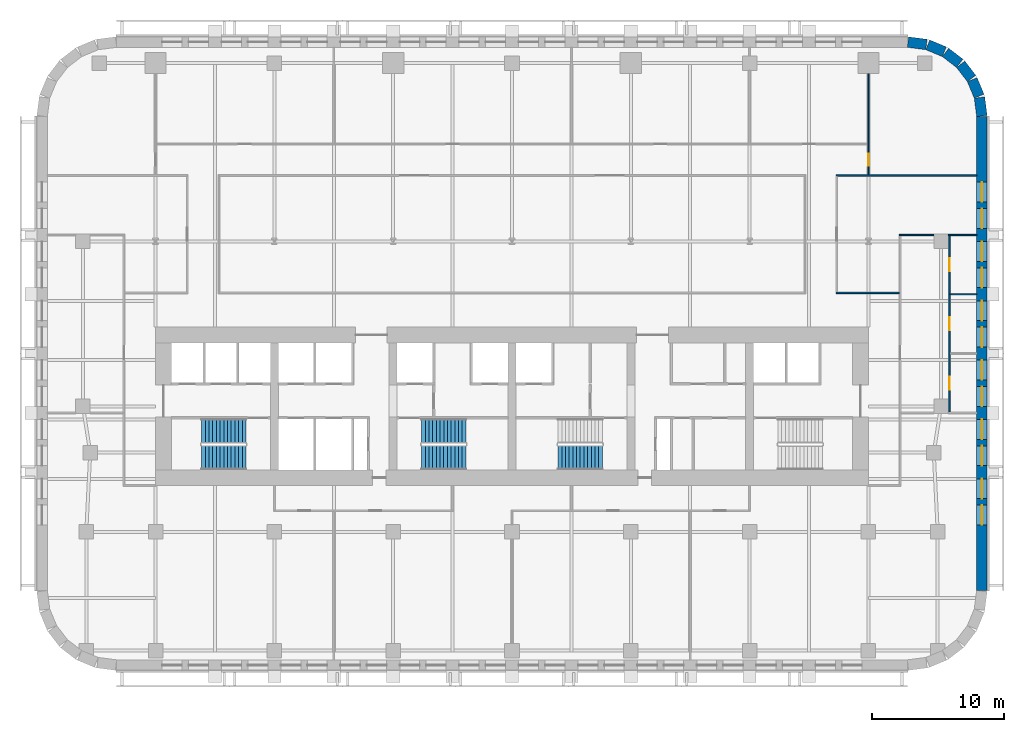
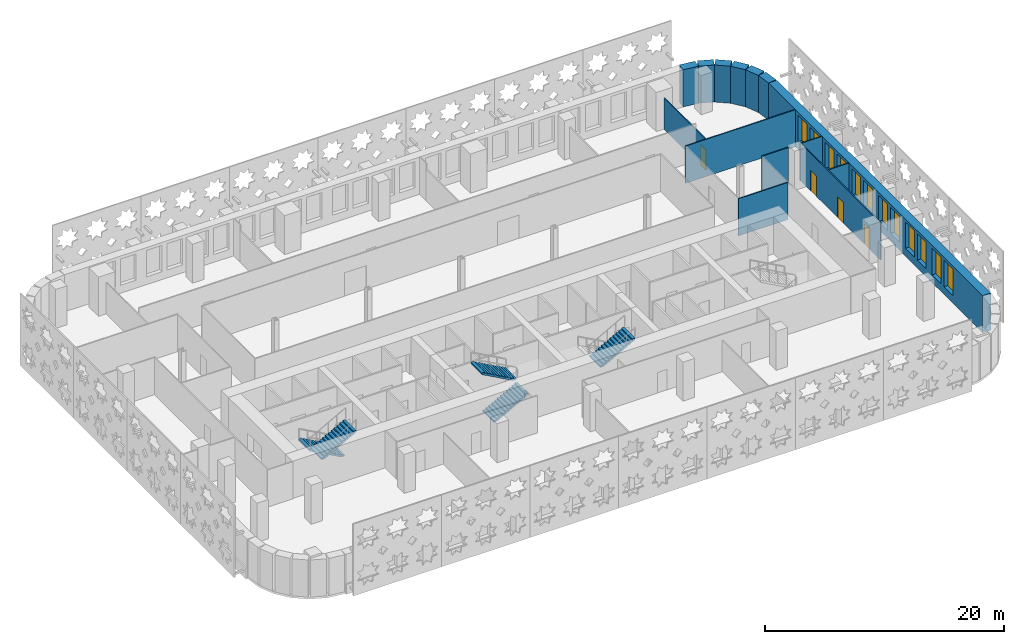
# One storey, part 9 of 15: 14 walls, 12 windows, 5 stair flights, 4 doors, 16 openings, 3 elements without a shape of their own.
"""IFC4 building model written with IfcOpenShell, lengths in metres."""

from ifc_helpers import new_model, si_unit, direction, frame, frame_2d, origin, place, context, subcontext, project, spatial, polyline, rectangle, outline, extrude, material, layer, layer_set, type_object, element, fill, aggregate, save


model = new_model("IFC4")

# Units and contexts
model_context = context("Model", 3, precision=1e-05, world=origin(), true_north=direction((0.0, 1.0)))
body_context = subcontext(model_context, "Body", "Model", "MODEL_VIEW")
ifc_project = project(units=[si_unit("LENGTHUNIT", "METRE"), si_unit("AREAUNIT", "SQUARE_METRE"), si_unit("VOLUMEUNIT", "CUBIC_METRE"), si_unit("PLANEANGLEUNIT", "RADIAN"), si_unit("MASSUNIT", "GRAM", prefix="KILO")], contexts=[model_context])

# Site, building, storey
site_placement = place(None, origin())
site = spatial("IfcSite", under=ifc_project, at=site_placement, CompositionType="ELEMENT")
building_placement = place(site_placement, origin())
building = spatial("IfcBuilding", under=site, at=building_placement, Name="Zellij Exchange Tower", CompositionType="ELEMENT")
storey_placement = place(building_placement, frame((0.0, 0.0, 92.5)))
storey = spatial("IfcBuildingStorey", under=building, at=storey_placement, Name="L19", CompositionType="ELEMENT", Elevation=92.5)

# Wall, openings, windows
ifc_material_1 = material(Name="Precast concrete C40/50", Category="concrete")
ifc_layer_1 = layer(ifc_material_1, 0.800048828125)
ifc_layer_set_1 = layer_set([ifc_layer_1], Name="Precast concrete C40/50")
wall_type_1 = type_object("IfcWallType", Name="ENV-EW1 Precast stone-piered wall 800", PredefinedType="SOLIDWALL", material=ifc_layer_set_1)
wall_1_placement = place(storey_placement, frame((35.60009765625, -21.947509765625, 0.0), z_axis=(0.0, 0.0, 1.0), x_axis=(0.0, 1.0, 0.0)))
wall_1 = element("IfcWall", 1, at=wall_1_placement, inside=storey, type_object=wall_type_1, Name="fac.L19.07", PredefinedType="SOLIDWALL", context=body_context, shape_type="SweptSolid", body=[
    extrude(rectangle(XDim=35.89501953125, YDim=0.800048828125, at=frame_2d((17.947509765625, 0.0))), origin(), (0.0, 0.0, 1.0), 3.800048828125),
])
opening_1_placement = place(wall_1_placement, frame((4.9638671875, 0.0, 0.800048828125)))
opening_1 = element("IfcOpeningElement", 2, at=opening_1_placement, cuts=wall_1, Name="Opening FZ1.25", PredefinedType="OPENING", context=body_context, shape_type="SweptSolid", body=[
    extrude(rectangle(XDim=1.5, YDim=2.699951171875, at=frame_2d((0.75, 1.35009765625))), frame((0.0, 0.412109375, 0.0), z_axis=(0.0, -1.0, 0.0), x_axis=(1.0, 0.0, 0.0)), (0.0, 0.0, 1.0), 0.823974609375),
])
opening_2_placement = place(wall_1_placement, frame((6.9638671875, 0.0, 0.800048828125)))
opening_2 = element("IfcOpeningElement", 3, at=opening_2_placement, cuts=wall_1, Name="Opening FZ1.26", PredefinedType="OPENING", context=body_context, shape_type="SweptSolid", body=[
    extrude(rectangle(XDim=1.5, YDim=2.699951171875, at=frame_2d((0.75, 1.35009765625))), frame((0.0, 0.412109375, 0.0), z_axis=(0.0, -1.0, 0.0), x_axis=(1.0, 0.0, 0.0)), (0.0, 0.0, 1.0), 0.823974609375),
])
opening_3_placement = place(wall_1_placement, frame((9.45751953125, 0.0, 0.800048828125)))
opening_3 = element("IfcOpeningElement", 4, at=opening_3_placement, cuts=wall_1, Name="Opening FZ1.27", PredefinedType="OPENING", context=body_context, shape_type="SweptSolid", body=[
    extrude(rectangle(XDim=1.5, YDim=2.699951171875, at=frame_2d((0.75, 1.35009765625))), frame((0.0, 0.412109375, 0.0), z_axis=(0.0, -1.0, 0.0), x_axis=(1.0, 0.0, 0.0)), (0.0, 0.0, 1.0), 0.823974609375),
])
opening_4_placement = place(wall_1_placement, frame((11.45751953125, 0.0, 0.800048828125)))
opening_4 = element("IfcOpeningElement", 5, at=opening_4_placement, cuts=wall_1, Name="Opening FZ1.28", PredefinedType="OPENING", context=body_context, shape_type="SweptSolid", body=[
    extrude(rectangle(XDim=1.5, YDim=2.699951171875, at=frame_2d((0.75, 1.35009765625))), frame((0.0, 0.412109375, 0.0), z_axis=(0.0, -1.0, 0.0), x_axis=(1.0, 0.0, 0.0)), (0.0, 0.0, 1.0), 0.823974609375),
])
opening_5_placement = place(wall_1_placement, frame((13.950927734375, 0.0, 0.800048828125)))
opening_5 = element("IfcOpeningElement", 6, at=opening_5_placement, cuts=wall_1, Name="Opening FZ1.29", PredefinedType="OPENING", context=body_context, shape_type="SweptSolid", body=[
    extrude(rectangle(XDim=1.5, YDim=2.699951171875, at=frame_2d((0.75, 1.35009765625))), frame((0.0, 0.412109375, 0.0), z_axis=(0.0, -1.0, 0.0), x_axis=(1.0, 0.0, 0.0)), (0.0, 0.0, 1.0), 0.823974609375),
])
opening_6_placement = place(wall_1_placement, frame((15.95068359375, 0.0, 0.800048828125)))
opening_6 = element("IfcOpeningElement", 7, at=opening_6_placement, cuts=wall_1, Name="Opening FZ1.30", PredefinedType="OPENING", context=body_context, shape_type="SweptSolid", body=[
    extrude(rectangle(XDim=1.5, YDim=2.699951171875, at=frame_2d((0.75, 1.35009765625))), frame((0.0, 0.412109375, 0.0), z_axis=(0.0, -1.0, 0.0), x_axis=(1.0, 0.0, 0.0)), (0.0, 0.0, 1.0), 0.823974609375),
])
opening_7_placement = place(wall_1_placement, frame((18.4443359375, 0.0, 0.800048828125)))
opening_7 = element("IfcOpeningElement", 8, at=opening_7_placement, cuts=wall_1, Name="Opening FZ1.31", PredefinedType="OPENING", context=body_context, shape_type="SweptSolid", body=[
    extrude(rectangle(XDim=1.5, YDim=2.699951171875, at=frame_2d((0.75, 1.35009765625))), frame((0.0, 0.412109375, 0.0), z_axis=(0.0, -1.0, 0.0), x_axis=(1.0, 0.0, 0.0)), (0.0, 0.0, 1.0), 0.823974609375),
])
opening_8_placement = place(wall_1_placement, frame((20.4443359375, 0.0, 0.800048828125)))
opening_8 = element("IfcOpeningElement", 9, at=opening_8_placement, cuts=wall_1, Name="Opening FZ1.32", PredefinedType="OPENING", context=body_context, shape_type="SweptSolid", body=[
    extrude(rectangle(XDim=1.5, YDim=2.699951171875, at=frame_2d((0.75, 1.35009765625))), frame((0.0, 0.412109375, 0.0), z_axis=(0.0, -1.0, 0.0), x_axis=(1.0, 0.0, 0.0)), (0.0, 0.0, 1.0), 0.823974609375),
])
opening_9_placement = place(wall_1_placement, frame((22.937744140625, 0.0, 0.800048828125)))
opening_9 = element("IfcOpeningElement", 10, at=opening_9_placement, cuts=wall_1, Name="Opening FZ1.33", PredefinedType="OPENING", context=body_context, shape_type="SweptSolid", body=[
    extrude(rectangle(XDim=1.5, YDim=2.699951171875, at=frame_2d((0.75, 1.35009765625))), frame((0.0, 0.412109375, 0.0), z_axis=(0.0, -1.0, 0.0), x_axis=(1.0, 0.0, 0.0)), (0.0, 0.0, 1.0), 0.823974609375),
])
opening_10_placement = place(wall_1_placement, frame((24.937744140625, 0.0, 0.800048828125)))
opening_10 = element("IfcOpeningElement", 11, at=opening_10_placement, cuts=wall_1, Name="Opening FZ1.34", PredefinedType="OPENING", context=body_context, shape_type="SweptSolid", body=[
    extrude(rectangle(XDim=1.5, YDim=2.699951171875, at=frame_2d((0.75, 1.35009765625))), frame((0.0, 0.412109375, 0.0), z_axis=(0.0, -1.0, 0.0), x_axis=(1.0, 0.0, 0.0)), (0.0, 0.0, 1.0), 0.823974609375),
])
opening_11_placement = place(wall_1_placement, frame((27.43115234375, 0.0, 0.800048828125)))
opening_11 = element("IfcOpeningElement", 12, at=opening_11_placement, cuts=wall_1, Name="Opening FZ1.35", PredefinedType="OPENING", context=body_context, shape_type="SweptSolid", body=[
    extrude(rectangle(XDim=1.5, YDim=2.699951171875, at=frame_2d((0.75, 1.35009765625))), frame((0.0, 0.412109375, 0.0), z_axis=(0.0, -1.0, 0.0), x_axis=(1.0, 0.0, 0.0)), (0.0, 0.0, 1.0), 0.823974609375),
])
opening_12_placement = place(wall_1_placement, frame((29.43115234375, 0.0, 0.800048828125)))
opening_12 = element("IfcOpeningElement", 13, at=opening_12_placement, cuts=wall_1, Name="Opening FZ1.36", PredefinedType="OPENING", context=body_context, shape_type="SweptSolid", body=[
    extrude(rectangle(XDim=1.5, YDim=2.699951171875, at=frame_2d((0.75, 1.35009765625))), frame((0.0, 0.412109375, 0.0), z_axis=(0.0, -1.0, 0.0), x_axis=(1.0, 0.0, 0.0)), (0.0, 0.0, 1.0), 0.823974609375),
])
ifc_material_2 = material(Name="Aluminium frame with insulating glass", Category="aluminium")
window_type = type_object("IfcWindowType", Name="ENV-W6 Window 1500x2700", PartitioningType="SINGLE_PANEL", PredefinedType="WINDOW", material=ifc_material_2)
window_1_placement = place(opening_1_placement, origin())
window_1 = element("IfcWindow", 14, at=window_1_placement, inside=storey, type_object=window_type, Name="Window FZ1.25", OverallHeight=2.699951171875, OverallWidth=1.5, PartitioningType="SINGLE_PANEL", PredefinedType="WINDOW", context=body_context, shape_type="SweptSolid", body=[
    extrude(rectangle(XDim=1.5, YDim=2.699951171875, at=frame_2d((0.75, 1.35009765625))), frame((0.0, 0.030029296875, 0.0), z_axis=(0.0, -1.0, 0.0), x_axis=(1.0, 0.0, 0.0)), (0.0, 0.0, 1.0), 0.06005859375),
])
fill(opening_1, window_1)
window_2_placement = place(opening_2_placement, origin())
window_2 = element("IfcWindow", 15, at=window_2_placement, inside=storey, type_object=window_type, Name="Window FZ1.26", OverallHeight=2.699951171875, OverallWidth=1.5, PartitioningType="SINGLE_PANEL", PredefinedType="WINDOW", context=body_context, shape_type="SweptSolid", body=[
    extrude(rectangle(XDim=1.5, YDim=2.699951171875, at=frame_2d((0.75, 1.35009765625))), frame((0.0, 0.030029296875, 0.0), z_axis=(0.0, -1.0, 0.0), x_axis=(1.0, 0.0, 0.0)), (0.0, 0.0, 1.0), 0.06005859375),
])
fill(opening_2, window_2)
window_3_placement = place(opening_3_placement, origin())
window_3 = element("IfcWindow", 16, at=window_3_placement, inside=storey, type_object=window_type, Name="Window FZ1.27", OverallHeight=2.699951171875, OverallWidth=1.5, PartitioningType="SINGLE_PANEL", PredefinedType="WINDOW", context=body_context, shape_type="SweptSolid", body=[
    extrude(rectangle(XDim=1.5, YDim=2.699951171875, at=frame_2d((0.75, 1.35009765625))), frame((0.0, 0.030029296875, 0.0), z_axis=(0.0, -1.0, 0.0), x_axis=(1.0, 0.0, 0.0)), (0.0, 0.0, 1.0), 0.06005859375),
])
fill(opening_3, window_3)
window_4_placement = place(opening_4_placement, origin())
window_4 = element("IfcWindow", 17, at=window_4_placement, inside=storey, type_object=window_type, Name="Window FZ1.28", OverallHeight=2.699951171875, OverallWidth=1.5, PartitioningType="SINGLE_PANEL", PredefinedType="WINDOW", context=body_context, shape_type="SweptSolid", body=[
    extrude(rectangle(XDim=1.5, YDim=2.699951171875, at=frame_2d((0.75, 1.35009765625))), frame((0.0, 0.030029296875, 0.0), z_axis=(0.0, -1.0, 0.0), x_axis=(1.0, 0.0, 0.0)), (0.0, 0.0, 1.0), 0.06005859375),
])
fill(opening_4, window_4)
window_5_placement = place(opening_5_placement, origin())
window_5 = element("IfcWindow", 18, at=window_5_placement, inside=storey, type_object=window_type, Name="Window FZ1.29", OverallHeight=2.699951171875, OverallWidth=1.5, PartitioningType="SINGLE_PANEL", PredefinedType="WINDOW", context=body_context, shape_type="SweptSolid", body=[
    extrude(rectangle(XDim=1.5, YDim=2.699951171875, at=frame_2d((0.75, 1.35009765625))), frame((0.0, 0.030029296875, 0.0), z_axis=(0.0, -1.0, 0.0), x_axis=(1.0, 0.0, 0.0)), (0.0, 0.0, 1.0), 0.06005859375),
])
fill(opening_5, window_5)
window_6_placement = place(opening_6_placement, origin())
window_6 = element("IfcWindow", 19, at=window_6_placement, inside=storey, type_object=window_type, Name="Window FZ1.30", OverallHeight=2.699951171875, OverallWidth=1.5, PartitioningType="SINGLE_PANEL", PredefinedType="WINDOW", context=body_context, shape_type="SweptSolid", body=[
    extrude(rectangle(XDim=1.5, YDim=2.699951171875, at=frame_2d((0.75, 1.35009765625))), frame((0.0, 0.030029296875, 0.0), z_axis=(0.0, -1.0, 0.0), x_axis=(1.0, 0.0, 0.0)), (0.0, 0.0, 1.0), 0.06005859375),
])
fill(opening_6, window_6)
window_7_placement = place(opening_7_placement, origin())
window_7 = element("IfcWindow", 20, at=window_7_placement, inside=storey, type_object=window_type, Name="Window FZ1.31", OverallHeight=2.699951171875, OverallWidth=1.5, PartitioningType="SINGLE_PANEL", PredefinedType="WINDOW", context=body_context, shape_type="SweptSolid", body=[
    extrude(rectangle(XDim=1.5, YDim=2.699951171875, at=frame_2d((0.75, 1.35009765625))), frame((0.0, 0.030029296875, 0.0), z_axis=(0.0, -1.0, 0.0), x_axis=(1.0, 0.0, 0.0)), (0.0, 0.0, 1.0), 0.06005859375),
])
fill(opening_7, window_7)
window_8_placement = place(opening_8_placement, origin())
window_8 = element("IfcWindow", 21, at=window_8_placement, inside=storey, type_object=window_type, Name="Window FZ1.32", OverallHeight=2.699951171875, OverallWidth=1.5, PartitioningType="SINGLE_PANEL", PredefinedType="WINDOW", context=body_context, shape_type="SweptSolid", body=[
    extrude(rectangle(XDim=1.5, YDim=2.699951171875, at=frame_2d((0.75, 1.35009765625))), frame((0.0, 0.030029296875, 0.0), z_axis=(0.0, -1.0, 0.0), x_axis=(1.0, 0.0, 0.0)), (0.0, 0.0, 1.0), 0.06005859375),
])
fill(opening_8, window_8)
window_9_placement = place(opening_9_placement, origin())
window_9 = element("IfcWindow", 22, at=window_9_placement, inside=storey, type_object=window_type, Name="Window FZ1.33", OverallHeight=2.699951171875, OverallWidth=1.5, PartitioningType="SINGLE_PANEL", PredefinedType="WINDOW", context=body_context, shape_type="SweptSolid", body=[
    extrude(rectangle(XDim=1.5, YDim=2.699951171875, at=frame_2d((0.75, 1.35009765625))), frame((0.0, 0.030029296875, 0.0), z_axis=(0.0, -1.0, 0.0), x_axis=(1.0, 0.0, 0.0)), (0.0, 0.0, 1.0), 0.06005859375),
])
fill(opening_9, window_9)
window_10_placement = place(opening_10_placement, origin())
window_10 = element("IfcWindow", 23, at=window_10_placement, inside=storey, type_object=window_type, Name="Window FZ1.34", OverallHeight=2.699951171875, OverallWidth=1.5, PartitioningType="SINGLE_PANEL", PredefinedType="WINDOW", context=body_context, shape_type="SweptSolid", body=[
    extrude(rectangle(XDim=1.5, YDim=2.699951171875, at=frame_2d((0.75, 1.35009765625))), frame((0.0, 0.030029296875, 0.0), z_axis=(0.0, -1.0, 0.0), x_axis=(1.0, 0.0, 0.0)), (0.0, 0.0, 1.0), 0.06005859375),
])
fill(opening_10, window_10)
window_11_placement = place(opening_11_placement, origin())
window_11 = element("IfcWindow", 24, at=window_11_placement, inside=storey, type_object=window_type, Name="Window FZ1.35", OverallHeight=2.699951171875, OverallWidth=1.5, PartitioningType="SINGLE_PANEL", PredefinedType="WINDOW", context=body_context, shape_type="SweptSolid", body=[
    extrude(rectangle(XDim=1.5, YDim=2.699951171875, at=frame_2d((0.75, 1.35009765625))), frame((0.0, 0.030029296875, 0.0), z_axis=(0.0, -1.0, 0.0), x_axis=(1.0, 0.0, 0.0)), (0.0, 0.0, 1.0), 0.06005859375),
])
fill(opening_11, window_11)
window_12_placement = place(opening_12_placement, origin())
window_12 = element("IfcWindow", 25, at=window_12_placement, inside=storey, type_object=window_type, Name="Window FZ1.36", OverallHeight=2.699951171875, OverallWidth=1.5, PartitioningType="SINGLE_PANEL", PredefinedType="WINDOW", context=body_context, shape_type="SweptSolid", body=[
    extrude(rectangle(XDim=1.5, YDim=2.699951171875, at=frame_2d((0.75, 1.35009765625))), frame((0.0, 0.030029296875, 0.0), z_axis=(0.0, -1.0, 0.0), x_axis=(1.0, 0.0, 0.0)), (0.0, 0.0, 1.0), 0.06005859375),
])
fill(opening_12, window_12)

# Walls
wall_2_placement = place(storey_placement, frame((35.5966796875, 13.999755859375, 0.0), z_axis=(0.0, 0.0, 1.0), x_axis=(-0.130517283865, 0.99144603414, 0.0)))
element("IfcWall", 26, at=wall_2_placement, inside=storey, type_object=wall_type_1, Name="fac.L19.08", PredefinedType="SOLIDWALL", context=body_context, shape_type="SweptSolid", body=[
    extrude(rectangle(XDim=1.408447265625, YDim=0.800048828125, at=frame_2d((0.7041015625, 0.0))), origin(), (0.0, 0.0, 1.0), 3.800048828125),
])
wall_3_placement = place(storey_placement, frame((35.3857421875, 15.497314453125, 0.0), z_axis=(0.0, 0.0, 1.0), x_axis=(-0.38276009378, 0.923847774587, 0.0)))
element("IfcWall", 27, at=wall_3_placement, inside=storey, type_object=wall_type_1, Name="fac.L19.09", PredefinedType="SOLIDWALL", context=body_context, shape_type="SweptSolid", body=[
    extrude(rectangle(XDim=1.35546875, YDim=0.800048828125, at=frame_2d((0.677734375, 0.0))), origin(), (0.0, 0.0, 1.0), 3.800048828125),
])
for number, where, z_axis, x_axis, name in (
    (28, (34.814697265625, 16.840087890625, 0.0), (0.0, 0.0, 1.0), (-0.608866226366, 0.793272915452, 0.0), "fac.L19.10"),
    (29, (33.91552734375, 17.9892578125, 0.0), (0.0, 0.0, 1.0), (-0.793272915452, 0.608866226366, 0.0), "fac.L19.11"),
):
    element("IfcWall", number, at=place(storey_placement, frame(where, z_axis=z_axis, x_axis=x_axis)), inside=storey, type_object=wall_type_1, Name=name, PredefinedType="SOLIDWALL", context=body_context, shape_type="SweptSolid", body=[
        extrude(rectangle(XDim=1.355712890625, YDim=0.800048828125, at=frame_2d((0.677734375, 0.0))), origin(), (0.0, 0.0, 1.0), 3.800048828125),
    ])
wall_4_placement = place(storey_placement, frame((32.74951171875, 18.866943359375, 0.0), z_axis=(0.0, 0.0, 1.0), x_axis=(-0.923847774587, 0.38276009378, 0.0)))
element("IfcWall", 30, at=wall_4_placement, inside=storey, type_object=wall_type_1, Name="fac.L19.12", PredefinedType="SOLIDWALL", context=body_context, shape_type="SweptSolid", body=[
    extrude(rectangle(XDim=1.35546875, YDim=0.800048828125, at=frame_2d((0.677734375, 0.0))), origin(), (0.0, 0.0, 1.0), 3.800048828125),
])
wall_5_placement = place(storey_placement, frame((31.396240234375, 19.412841796875, 0.0), z_axis=(0.0, 0.0, 1.0), x_axis=(-0.99144603414, 0.130517283865, 0.0)))
element("IfcWall", 31, at=wall_5_placement, inside=storey, type_object=wall_type_1, Name="fac.L19.13", PredefinedType="SOLIDWALL", context=body_context, shape_type="SweptSolid", body=[
    extrude(rectangle(XDim=1.408447265625, YDim=0.800048828125, at=frame_2d((0.7041015625, 0.0))), origin(), (0.0, 0.0, 1.0), 3.800048828125),
])

# Wall, openings, doors
ifc_material_3 = material(Name="Gypsum board partition on steel studs", Category="steel")
ifc_layer_2 = layer(ifc_material_3, 0.10009765625)
ifc_layer_set_2 = layer_set([ifc_layer_2], Name="Gypsum board partition on steel studs")
wall_type_2 = type_object("IfcWallType", Name="FIT-PARTITION-100", PredefinedType="PARTITIONING", material=ifc_layer_set_2)
wall_6_placement = place(storey_placement, frame((33.14990234375, -8.43994140625, 0.0), z_axis=(0.0, 0.0, 1.0), x_axis=(0.0, 1.0, 0.0)))
wall_6 = element("IfcWall", 32, at=wall_6_placement, inside=storey, type_object=wall_type_2, Name="FIT-PARTITION-100 021", PredefinedType="PARTITIONING", context=body_context, shape_type="SweptSolid", body=[
    extrude(rectangle(XDim=13.3798828125, YDim=0.10009765625, at=frame_2d((6.68994140625, 0.0))), origin(), (0.0, 0.0, 1.0), 3.800048828125),
])
opening_13_placement = place(wall_6_placement, frame((1.699951171875, 0.0, 0.0)))
opening_13 = element("IfcOpeningElement", 33, at=opening_13_placement, cuts=wall_6, Name="Opening TD.05", PredefinedType="OPENING", context=body_context, shape_type="SweptSolid", body=[
    extrude(rectangle(XDim=1.0, YDim=2.10009765625, at=frame_2d((0.5, 1.050048828125))), frame((0.0, 0.06201171875, 0.0), z_axis=(0.0, -1.0, 0.0), x_axis=(1.0, 0.0, 0.0)), (0.0, 0.0, 1.0), 0.1240234375),
])
opening_14_placement = place(wall_6_placement, frame((6.18994140625, 0.0, 0.0)))
opening_14 = element("IfcOpeningElement", 34, at=opening_14_placement, cuts=wall_6, Name="Opening TD.08", PredefinedType="OPENING", context=body_context, shape_type="SweptSolid", body=[
    extrude(rectangle(XDim=1.0, YDim=2.10009765625, at=frame_2d((0.5, 1.050048828125))), frame((0.0, 0.06201171875, 0.0), z_axis=(0.0, -1.0, 0.0), x_axis=(1.0, 0.0, 0.0)), (0.0, 0.0, 1.0), 0.1240234375),
])
opening_15_placement = place(wall_6_placement, frame((10.679931640625, 0.0, 0.0)))
opening_15 = element("IfcOpeningElement", 35, at=opening_15_placement, cuts=wall_6, Name="Opening TD.09", PredefinedType="OPENING", context=body_context, shape_type="SweptSolid", body=[
    extrude(rectangle(XDim=1.0, YDim=2.10009765625, at=frame_2d((0.5, 1.050048828125))), frame((0.0, 0.06201171875, 0.0), z_axis=(0.0, -1.0, 0.0), x_axis=(1.0, 0.0, 0.0)), (0.0, 0.0, 1.0), 0.1240234375),
])
ifc_material_4 = material(Name="Timber door set", Category="wood")
door_type_1 = type_object("IfcDoorType", Name="FIT-D2-WIDE-1000X2100", OperationType="SINGLE_SWING_LEFT", PredefinedType="DOOR", material=ifc_material_4)
door_1_placement = place(opening_13_placement, origin())
door_1 = element("IfcDoor", 36, at=door_1_placement, inside=storey, type_object=door_type_1, Name="Door TD.05", OperationType="SINGLE_SWING_RIGHT", OverallHeight=2.10009765625, OverallWidth=1.0, PredefinedType="DOOR", context=body_context, shape_type="SweptSolid", body=[
    extrude(rectangle(XDim=1.0, YDim=2.10009765625, at=frame_2d((0.5, 1.050048828125))), frame((0.0, 0.02490234375, 0.0), z_axis=(0.0, -1.0, 0.0), x_axis=(1.0, 0.0, 0.0)), (0.0, 0.0, 1.0), 0.050048828125),
])
fill(opening_13, door_1)
door_2_placement = place(opening_14_placement, origin())
door_2 = element("IfcDoor", 37, at=door_2_placement, inside=storey, type_object=door_type_1, Name="Door TD.08", OperationType="SINGLE_SWING_RIGHT", OverallHeight=2.10009765625, OverallWidth=1.0, PredefinedType="DOOR", context=body_context, shape_type="SweptSolid", body=[
    extrude(rectangle(XDim=1.0, YDim=2.10009765625, at=frame_2d((0.5, 1.050048828125))), frame((0.0, 0.02490234375, 0.0), z_axis=(0.0, -1.0, 0.0), x_axis=(1.0, 0.0, 0.0)), (0.0, 0.0, 1.0), 0.050048828125),
])
fill(opening_14, door_2)
door_3_placement = place(opening_15_placement, origin())
door_3 = element("IfcDoor", 38, at=door_3_placement, inside=storey, type_object=door_type_1, Name="Door TD.09", OperationType="SINGLE_SWING_LEFT", OverallHeight=2.10009765625, OverallWidth=1.0, PredefinedType="DOOR", context=body_context, shape_type="SweptSolid", body=[
    extrude(rectangle(XDim=1.0, YDim=2.10009765625, at=frame_2d((0.5, 1.050048828125))), frame((0.0, 0.02490234375, 0.0), z_axis=(0.0, -1.0, 0.0), x_axis=(1.0, 0.0, 0.0)), (0.0, 0.0, 1.0), 0.050048828125),
])
fill(opening_15, door_3)

# Walls
wall_7_placement = place(storey_placement, frame((33.199951171875, 0.489990234375, 0.0), z_axis=(0.0, 0.0, 1.0), x_axis=(1.0, 0.0, 0.0)))
element("IfcWall", 39, at=wall_7_placement, inside=storey, type_object=wall_type_2, Name="FIT-PARTITION-100 023", PredefinedType="PARTITIONING", context=body_context, shape_type="SweptSolid", body=[
    extrude(rectangle(XDim=2.0, YDim=0.10009765625, at=frame_2d((1.0, 0.0))), origin(), (0.0, 0.0, 1.0), 3.800048828125),
])
wall_8_placement = place(storey_placement, frame((24.550048828125, 0.60009765625, 0.0), z_axis=(0.0, 0.0, 1.0), x_axis=(1.0, 0.0, 0.0)))
element("IfcWall", 40, at=wall_8_placement, inside=storey, type_object=wall_type_2, Name="FIT-PARTITION-100 029", PredefinedType="PARTITIONING", context=body_context, shape_type="SweptSolid", body=[
    extrude(rectangle(XDim=4.800048828125, YDim=0.10009765625, at=frame_2d((2.39990234375, 0.0))), origin(), (0.0, 0.0, 1.0), 3.800048828125),
])
wall_9_placement = place(storey_placement, frame((29.35009765625, 4.989990234375, 0.0), z_axis=(0.0, 0.0, 1.0), x_axis=(1.0, 0.0, 0.0)))
element("IfcWall", 41, at=wall_9_placement, inside=storey, type_object=wall_type_2, Name="FIT-PARTITION-100 033", PredefinedType="PARTITIONING", context=body_context, shape_type="SweptSolid", body=[
    extrude(rectangle(XDim=2.599853515625, YDim=0.10009765625, at=frame_2d((1.2998046875, 0.0))), origin(), (0.0, 0.0, 1.0), 3.800048828125),
])
wall_10_placement = place(storey_placement, frame((33.050048828125, 4.989990234375, 0.0), z_axis=(0.0, 0.0, 1.0), x_axis=(1.0, 0.0, 0.0)))
element("IfcWall", 42, at=wall_10_placement, inside=storey, type_object=wall_type_2, Name="FIT-PARTITION-100 034", PredefinedType="PARTITIONING", context=body_context, shape_type="SweptSolid", body=[
    extrude(rectangle(XDim=2.14990234375, YDim=0.10009765625, at=frame_2d((1.074951171875, 0.0))), origin(), (0.0, 0.0, 1.0), 3.800048828125),
])
wall_11_placement = place(storey_placement, frame((24.550048828125, 9.47998046875, 0.0), z_axis=(0.0, 0.0, 1.0), x_axis=(1.0, 0.0, 0.0)))
element("IfcWall", 43, at=wall_11_placement, inside=storey, type_object=wall_type_2, Name="FIT-PARTITION-100 038", PredefinedType="PARTITIONING", context=body_context, shape_type="SweptSolid", body=[
    extrude(rectangle(XDim=10.64990234375, YDim=0.10009765625, at=frame_2d((5.324951171875, 0.0))), origin(), (0.0, 0.0, 1.0), 3.800048828125),
])

# Wall, opening, door
wall_12_placement = place(storey_placement, frame((27.0, 9.530029296875, 0.0), z_axis=(0.0, 0.0, 1.0), x_axis=(0.0, 1.0, 0.0)))
wall_12 = element("IfcWall", 44, at=wall_12_placement, inside=storey, type_object=wall_type_2, Name="FIT-PARTITION-100 039", PredefinedType="PARTITIONING", context=body_context, shape_type="SweptSolid", body=[
    extrude(rectangle(XDim=7.669921875, YDim=0.10009765625, at=frame_2d((3.8349609375, 0.0))), origin(), (0.0, 0.0, 1.0), 3.18798828125),
])
opening_16_placement = place(wall_12_placement, frame((0.699951171875, 0.0, 0.0)))
opening_16 = element("IfcOpeningElement", 45, at=opening_16_placement, cuts=wall_12, Name="Opening TD.15", PredefinedType="OPENING", context=body_context, shape_type="SweptSolid", body=[
    extrude(rectangle(XDim=0.89990234375, YDim=2.10009765625, at=frame_2d((0.449951171875, 1.050048828125))), frame((0.0, 0.06201171875, 0.0), z_axis=(0.0, -1.0, 0.0), x_axis=(1.0, 0.0, 0.0)), (0.0, 0.0, 1.0), 0.1240234375),
])
door_type_2 = type_object("IfcDoorType", Name="FIT-D1-ROOM-900X2100", OperationType="SINGLE_SWING_LEFT", PredefinedType="DOOR", material=ifc_material_4)
door_4_placement = place(opening_16_placement, origin())
door_4 = element("IfcDoor", 46, at=door_4_placement, inside=storey, type_object=door_type_2, Name="Door TD.15", OperationType="SINGLE_SWING_LEFT", OverallHeight=2.10009765625, OverallWidth=0.89990234375, PredefinedType="DOOR", context=body_context, shape_type="SweptSolid", body=[
    extrude(rectangle(XDim=0.89990234375, YDim=2.10009765625, at=frame_2d((0.449951171875, 1.050048828125))), frame((0.0, 0.02490234375, 0.0), z_axis=(0.0, -1.0, 0.0), x_axis=(1.0, 0.0, 0.0)), (0.0, 0.0, 1.0), 0.050048828125),
])
fill(opening_16, door_4)

# Stair, stair flights
ifc_material_5 = material(Name="Concrete C40/50", Category="concrete")
stair_type = type_object("IfcStairType", Name="CORE-ST exit stair 1850 wide", PredefinedType="HALF_TURN_STAIR", material=ifc_material_5)
stair_1_placement = place(storey_placement, origin())
stair_1 = element("IfcStair", 47, at=stair_1_placement, inside=storey, type_object=stair_type, Name="L19 exit stair ST1", PredefinedType="HALF_TURN_STAIR")
stair_flight_type = type_object("IfcStairFlightType", Name="CORE-SF flight 1850 riser 153.8 going 280", PredefinedType="STRAIGHT", material=ifc_material_5)
stair_flight_1_placement = place(storey_placement, frame((-20.14990234375, -9.875, 0.0), z_axis=(0.0, 0.0, 1.0), x_axis=(-1.0, 0.0, 0.0)))
stair_flight_1 = element("IfcStairFlight", 48, at=stair_flight_1_placement, type_object=stair_flight_type, Name="ST1 flight 1", NumberOfRisers=13, NumberOfTreads=12, PredefinedType="STRAIGHT", RiserHeight=0.153846154, TreadLength=0.28, context=body_context, shape_type="SweptSolid", body=[
    extrude(outline(polyline([(0.0, 0.0), (0.0, 0.15380859375), (0.280029296875, 0.15380859375), (0.280029296875, 0.3076171875), (0.56005859375, 0.3076171875), (0.56005859375, 0.46142578125), (0.840087890625, 0.46142578125), (0.840087890625, 0.615478515625), (1.1201171875, 0.615478515625), (1.1201171875, 0.769287109375), (1.39990234375, 0.769287109375), (1.39990234375, 0.923095703125), (1.679931640625, 0.923095703125), (1.679931640625, 1.076904296875), (1.9599609375, 1.076904296875), (1.9599609375, 1.230712890625), (2.239990234375, 1.230712890625), (2.239990234375, 1.384521484375), (2.52001953125, 1.384521484375), (2.52001953125, 1.53857421875), (2.800048828125, 1.53857421875), (2.800048828125, 1.6923828125), (3.080078125, 1.6923828125), (3.080078125, 1.84619140625), (3.360107421875, 1.84619140625), (3.360107421875, 2.0), (3.360107421875, 1.675048828125), (0.311279296875, 0.0), (0.0, 0.0)])), frame((0.0, 0.925048828125, 0.0), z_axis=(0.0, -1.0, 0.0), x_axis=(1.0, 0.0, 0.0)), (0.0, 0.0, 1.0), 1.85009765625),
])
stair_flight_2_placement = place(storey_placement, frame((-23.510009765625, -11.875, 2.0), z_axis=(0.0, 0.0, 1.0), x_axis=(1.0, 0.0, 0.0)))
stair_flight_2 = element("IfcStairFlight", 49, at=stair_flight_2_placement, type_object=stair_flight_type, Name="ST1 flight 2", NumberOfRisers=13, NumberOfTreads=12, PredefinedType="STRAIGHT", RiserHeight=0.153846154, TreadLength=0.28, context=body_context, shape_type="SweptSolid", body=[
    extrude(outline(polyline([(0.0, 0.0), (0.0, 0.15380859375), (0.280029296875, 0.15380859375), (0.280029296875, 0.3076171875), (0.56005859375, 0.3076171875), (0.56005859375, 0.46142578125), (0.840087890625, 0.46142578125), (0.840087890625, 0.615478515625), (1.1201171875, 0.615478515625), (1.1201171875, 0.769287109375), (1.39990234375, 0.769287109375), (1.39990234375, 0.923095703125), (1.679931640625, 0.923095703125), (1.679931640625, 1.076904296875), (1.9599609375, 1.076904296875), (1.9599609375, 1.230712890625), (2.239990234375, 1.230712890625), (2.239990234375, 1.384521484375), (2.52001953125, 1.384521484375), (2.52001953125, 1.53857421875), (2.800048828125, 1.53857421875), (2.800048828125, 1.6923828125), (3.080078125, 1.6923828125), (3.080078125, 1.84619140625), (3.360107421875, 1.84619140625), (3.360107421875, 2.0), (3.360107421875, 1.675048828125), (0.311279296875, 0.0), (0.0, 0.0)])), frame((0.0, 0.925048828125, 0.0), z_axis=(0.0, -1.0, 0.0), x_axis=(1.0, 0.0, 0.0)), (0.0, 0.0, 1.0), 1.85009765625),
])
aggregate(stair_1, [stair_flight_1, stair_flight_2])

stair_2_placement = place(storey_placement, origin())
stair_2 = element("IfcStair", 50, at=stair_2_placement, inside=storey, type_object=stair_type, Name="L19 exit stair ST2", PredefinedType="HALF_TURN_STAIR")
stair_flight_3_placement = place(storey_placement, frame((-6.85009765625, -11.875, 0.0), z_axis=(0.0, 0.0, 1.0), x_axis=(1.0, 0.0, 0.0)))
stair_flight_3 = element("IfcStairFlight", 51, at=stair_flight_3_placement, type_object=stair_flight_type, Name="ST2 flight 1", NumberOfRisers=13, NumberOfTreads=12, PredefinedType="STRAIGHT", RiserHeight=0.153846154, TreadLength=0.28, context=body_context, shape_type="SweptSolid", body=[
    extrude(outline(polyline([(0.0, 0.0), (0.0, 0.15380859375), (0.280029296875, 0.15380859375), (0.280029296875, 0.3076171875), (0.56005859375, 0.3076171875), (0.56005859375, 0.46142578125), (0.840087890625, 0.46142578125), (0.840087890625, 0.615478515625), (1.1201171875, 0.615478515625), (1.1201171875, 0.769287109375), (1.39990234375, 0.769287109375), (1.39990234375, 0.923095703125), (1.679931640625, 0.923095703125), (1.679931640625, 1.076904296875), (1.9599609375, 1.076904296875), (1.9599609375, 1.230712890625), (2.239990234375, 1.230712890625), (2.239990234375, 1.384521484375), (2.52001953125, 1.384521484375), (2.52001953125, 1.53857421875), (2.800048828125, 1.53857421875), (2.800048828125, 1.6923828125), (3.080078125, 1.6923828125), (3.080078125, 1.84619140625), (3.360107421875, 1.84619140625), (3.360107421875, 2.0), (3.360107421875, 1.675048828125), (0.311279296875, 0.0), (0.0, 0.0)])), frame((0.0, 0.925048828125, 0.0), z_axis=(0.0, -1.0, 0.0), x_axis=(1.0, 0.0, 0.0)), (0.0, 0.0, 1.0), 1.85009765625),
])
stair_flight_4_placement = place(storey_placement, frame((-3.489990234375, -9.875, 2.0), z_axis=(0.0, 0.0, 1.0), x_axis=(-1.0, 0.0, 0.0)))
stair_flight_4 = element("IfcStairFlight", 52, at=stair_flight_4_placement, type_object=stair_flight_type, Name="ST2 flight 2", NumberOfRisers=13, NumberOfTreads=12, PredefinedType="STRAIGHT", RiserHeight=0.153846154, TreadLength=0.28, context=body_context, shape_type="SweptSolid", body=[
    extrude(outline(polyline([(0.0, 0.0), (0.0, 0.15380859375), (0.280029296875, 0.15380859375), (0.280029296875, 0.3076171875), (0.56005859375, 0.3076171875), (0.56005859375, 0.46142578125), (0.840087890625, 0.46142578125), (0.840087890625, 0.615478515625), (1.1201171875, 0.615478515625), (1.1201171875, 0.769287109375), (1.39990234375, 0.769287109375), (1.39990234375, 0.923095703125), (1.679931640625, 0.923095703125), (1.679931640625, 1.076904296875), (1.9599609375, 1.076904296875), (1.9599609375, 1.230712890625), (2.239990234375, 1.230712890625), (2.239990234375, 1.384521484375), (2.52001953125, 1.384521484375), (2.52001953125, 1.53857421875), (2.800048828125, 1.53857421875), (2.800048828125, 1.6923828125), (3.080078125, 1.6923828125), (3.080078125, 1.84619140625), (3.360107421875, 1.84619140625), (3.360107421875, 2.0), (3.360107421875, 1.675048828125), (0.311279296875, 0.0), (0.0, 0.0)])), frame((0.0, 0.925048828125, 0.0), z_axis=(0.0, -1.0, 0.0), x_axis=(1.0, 0.0, 0.0)), (0.0, 0.0, 1.0), 1.85009765625),
])
aggregate(stair_2, [stair_flight_3, stair_flight_4])

# Stair, stair flight
stair_3_placement = place(storey_placement, origin())
stair_3 = element("IfcStair", 53, at=stair_3_placement, inside=storey, type_object=stair_type, Name="L19 exit stair ST3", PredefinedType="HALF_TURN_STAIR")
stair_flight_5_placement = place(storey_placement, frame((3.489990234375, -11.875, 2.0), z_axis=(0.0, 0.0, 1.0), x_axis=(1.0, 0.0, 0.0)))
stair_flight_5 = element("IfcStairFlight", 54, at=stair_flight_5_placement, type_object=stair_flight_type, Name="ST3 flight 2", NumberOfRisers=13, NumberOfTreads=12, PredefinedType="STRAIGHT", RiserHeight=0.153846154, TreadLength=0.28, context=body_context, shape_type="SweptSolid", body=[
    extrude(outline(polyline([(0.0, 0.0), (0.0, 0.15380859375), (0.280029296875, 0.15380859375), (0.280029296875, 0.3076171875), (0.56005859375, 0.3076171875), (0.56005859375, 0.46142578125), (0.840087890625, 0.46142578125), (0.840087890625, 0.615478515625), (1.1201171875, 0.615478515625), (1.1201171875, 0.769287109375), (1.39990234375, 0.769287109375), (1.39990234375, 0.923095703125), (1.679931640625, 0.923095703125), (1.679931640625, 1.076904296875), (1.9599609375, 1.076904296875), (1.9599609375, 1.230712890625), (2.239990234375, 1.230712890625), (2.239990234375, 1.384521484375), (2.52001953125, 1.384521484375), (2.52001953125, 1.53857421875), (2.800048828125, 1.53857421875), (2.800048828125, 1.6923828125), (3.080078125, 1.6923828125), (3.080078125, 1.84619140625), (3.360107421875, 1.84619140625), (3.360107421875, 2.0), (3.360107421875, 1.675048828125), (0.311279296875, 0.0), (0.0, 0.0)])), frame((0.0, 0.925048828125, 0.0), z_axis=(0.0, -1.0, 0.0), x_axis=(1.0, 0.0, 0.0)), (0.0, 0.0, 1.0), 1.85009765625),
])
aggregate(stair_3, [stair_flight_5])

save(model, "model.ifc")
